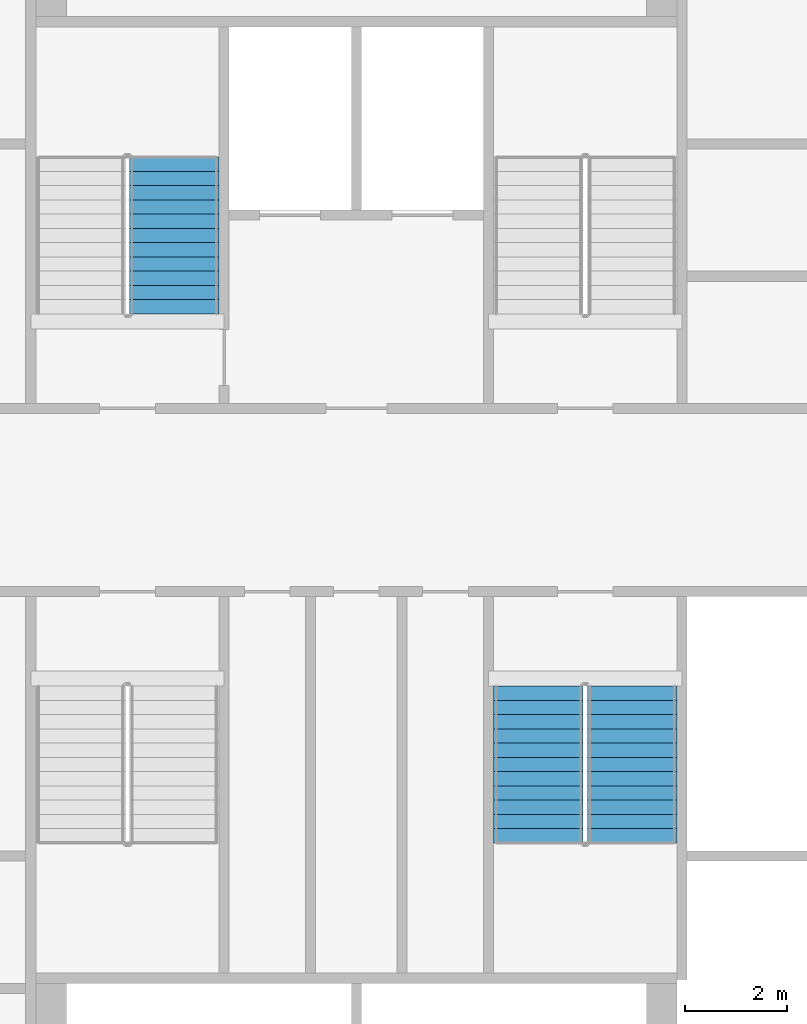
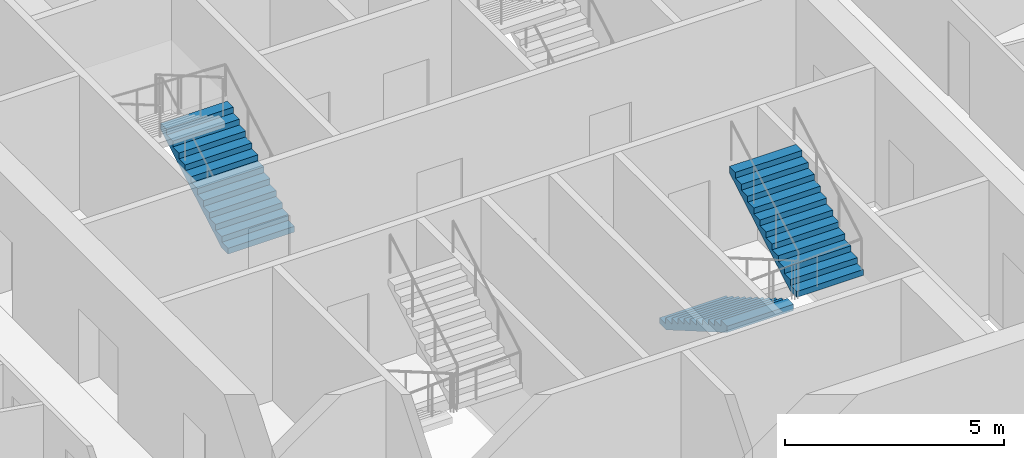
# One storey, part 17 of 23: 3 stair flights, 2 elements without a shape of their own.
"""IFC4 building model written with IfcOpenShell, lengths in metres."""

from ifc_helpers import new_model, si_unit, direction, frame, origin, place, context, subcontext, project, spatial, faceted_brep, material, type_object, element, aggregate, save


model = new_model("IFC4")

# Units and contexts
model_context = context("Model", 3, precision=1e-05, world=origin(), true_north=direction((0.0, 1.0)))
body_context = subcontext(model_context, "Body", "Model", "MODEL_VIEW")
ifc_project = project(units=[si_unit("LENGTHUNIT", "METRE"), si_unit("AREAUNIT", "SQUARE_METRE"), si_unit("VOLUMEUNIT", "CUBIC_METRE"), si_unit("PLANEANGLEUNIT", "RADIAN"), si_unit("MASSUNIT", "GRAM", prefix="KILO")], contexts=[model_context])

# Site, building, storey
site_placement = place(None, origin())
site = spatial("IfcSite", under=ifc_project, at=site_placement, CompositionType="ELEMENT")
building_placement = place(site_placement, origin())
building = spatial("IfcBuilding", under=site, at=building_placement, Name="Tarsis Ring Headquarters", CompositionType="ELEMENT")
storey_placement = place(building_placement, frame((0.0, 0.0, 231.60009765625)))
storey = spatial("IfcBuildingStorey", under=building, at=storey_placement, Name="L54", CompositionType="ELEMENT", Elevation=231.60009765625)

# Stair, stair flight
ifc_material_1 = material(Name="Core stair 1760")
stair_type = type_object("IfcStairType", Name="Core stair 1760", PredefinedType="HALF_TURN_STAIR", material=ifc_material_1)
stair_1_placement = place(storey_placement, origin())
stair_1 = element("IfcStair", 1, at=stair_1_placement, inside=storey, type_object=stair_type, Name="L54 Firefighting stair", PredefinedType="HALF_TURN_STAIR")
ifc_material_2 = material(Name="Concrete C40/50", Category="concrete")
stair_flight_type = type_object("IfcStairFlightType", Name="Core stair flight 1760", PredefinedType="STRAIGHT", material=ifc_material_2)
stair_flight_1_placement = place(storey_placement, frame((-3.580078125, 3.659912109375, 0.0), z_axis=(0.0, 0.0, 1.0), x_axis=(0.0, 1.0, 0.0)))
stair_flight_1 = element("IfcStairFlight", 2, at=stair_flight_1_placement, type_object=stair_flight_type, Name="Stair ST1 flight 1", NumberOfRisers=12, NumberOfTreads=11, PredefinedType="STRAIGHT", RiserHeight=0.1625, TreadLength=0.28, context=body_context, shape_type="Brep", body=[
    faceted_brep([(0.0, 0.8798828125, 0.0), (0.0, 0.8798828125, 0.16259765625), (0.280029296875, 0.8798828125, 0.16259765625), (0.280029296875, 0.8798828125, 0.324951171875), (0.56005859375, 0.8798828125, 0.324951171875), (0.56005859375, 0.8798828125, 0.487548828125), (0.840087890625, 0.8798828125, 0.487548828125), (0.840087890625, 0.8798828125, 0.64990234375), (1.1201171875, 0.8798828125, 0.64990234375), (1.1201171875, 0.8798828125, 0.8125), (1.39990234375, 0.8798828125, 0.8125), (1.39990234375, 0.8798828125, 0.97509765625), (1.679931640625, 0.8798828125, 0.97509765625), (1.679931640625, 0.8798828125, 1.137451171875), (1.9599609375, 0.8798828125, 1.137451171875), (1.9599609375, 0.8798828125, 1.300048828125), (2.239990234375, 0.8798828125, 1.300048828125), (2.239990234375, 0.8798828125, 1.46240234375), (2.52001953125, 0.8798828125, 1.46240234375), (2.52001953125, 0.8798828125, 1.625), (2.800048828125, 0.8798828125, 1.625), (2.800048828125, 0.8798828125, 1.78759765625), (3.080078125, 0.8798828125, 1.78759765625), (3.080078125, 0.8798828125, 1.6142578125), (0.298583984375, 0.8798828125, 0.0), (0.298583984375, -0.8798828125, 0.0), (3.080078125, -0.8798828125, 1.6142578125), (3.080078125, -0.8798828125, 1.78759765625), (2.800048828125, -0.8798828125, 1.78759765625), (2.800048828125, -0.8798828125, 1.625), (2.52001953125, -0.8798828125, 1.625), (2.52001953125, -0.8798828125, 1.46240234375), (2.239990234375, -0.8798828125, 1.46240234375), (2.239990234375, -0.8798828125, 1.300048828125), (1.9599609375, -0.8798828125, 1.300048828125), (1.9599609375, -0.8798828125, 1.137451171875), (1.679931640625, -0.8798828125, 1.137451171875), (1.679931640625, -0.8798828125, 0.97509765625), (1.39990234375, -0.8798828125, 0.97509765625), (1.39990234375, -0.8798828125, 0.8125), (1.1201171875, -0.8798828125, 0.8125), (1.1201171875, -0.8798828125, 0.64990234375), (0.840087890625, -0.8798828125, 0.64990234375), (0.840087890625, -0.8798828125, 0.487548828125), (0.56005859375, -0.8798828125, 0.487548828125), (0.56005859375, -0.8798828125, 0.324951171875), (0.280029296875, -0.8798828125, 0.324951171875), (0.280029296875, -0.8798828125, 0.16259765625), (0.0, -0.8798828125, 0.16259765625), (0.0, -0.8798828125, 0.0), (0.0, -0.43994140625, 0.16259765625), (0.0, -0.43994140625, 0.0), (0.0, 0.0, 0.16259765625), (0.0, 0.0, 0.0), (0.0, 0.43994140625, 0.16259765625), (0.0, 0.43994140625, 0.0), (0.280029296875, -0.43994140625, 0.16259765625), (0.280029296875, 0.0, 0.16259765625), (0.280029296875, 0.43994140625, 0.16259765625), (0.280029296875, -0.43994140625, 0.324951171875), (0.280029296875, 0.0, 0.324951171875), (0.280029296875, 0.43994140625, 0.324951171875), (0.56005859375, -0.43994140625, 0.324951171875), (0.56005859375, 0.0, 0.324951171875), (0.56005859375, 0.43994140625, 0.324951171875), (0.56005859375, -0.43994140625, 0.487548828125), (0.56005859375, 0.0, 0.487548828125), (0.56005859375, 0.43994140625, 0.487548828125), (0.840087890625, -0.43994140625, 0.487548828125), (0.840087890625, 0.0, 0.487548828125), (0.840087890625, 0.43994140625, 0.487548828125), (0.840087890625, -0.43994140625, 0.64990234375), (0.840087890625, 0.0, 0.64990234375), (0.840087890625, 0.43994140625, 0.64990234375), (1.1201171875, -0.43994140625, 0.64990234375), (1.1201171875, 0.0, 0.64990234375), (1.1201171875, 0.43994140625, 0.64990234375), (1.1201171875, -0.43994140625, 0.8125), (1.1201171875, 0.0, 0.8125), (1.1201171875, 0.43994140625, 0.8125), (1.39990234375, -0.43994140625, 0.8125), (1.39990234375, 0.0, 0.8125), (1.39990234375, 0.43994140625, 0.8125), (1.39990234375, -0.43994140625, 0.97509765625), (1.39990234375, 0.0, 0.97509765625), (1.39990234375, 0.43994140625, 0.97509765625), (1.679931640625, -0.43994140625, 0.97509765625), (1.679931640625, 0.0, 0.97509765625), (1.679931640625, 0.43994140625, 0.97509765625), (1.679931640625, -0.43994140625, 1.137451171875), (1.679931640625, 0.0, 1.137451171875), (1.679931640625, 0.43994140625, 1.137451171875), (1.9599609375, -0.43994140625, 1.137451171875), (1.9599609375, 0.0, 1.137451171875), (1.9599609375, 0.43994140625, 1.137451171875), (1.9599609375, -0.43994140625, 1.300048828125), (1.9599609375, 0.0, 1.300048828125), (1.9599609375, 0.43994140625, 1.300048828125), (2.239990234375, -0.43994140625, 1.300048828125), (2.239990234375, 0.0, 1.300048828125), (2.239990234375, 0.43994140625, 1.300048828125), (2.239990234375, -0.43994140625, 1.46240234375), (2.239990234375, 0.0, 1.46240234375), (2.239990234375, 0.43994140625, 1.46240234375), (2.52001953125, -0.43994140625, 1.46240234375), (2.52001953125, 0.0, 1.46240234375), (2.52001953125, 0.43994140625, 1.46240234375), (2.52001953125, -0.43994140625, 1.625), (2.52001953125, 0.0, 1.625), (2.52001953125, 0.43994140625, 1.625), (2.800048828125, -0.43994140625, 1.625), (2.800048828125, 0.0, 1.625), (2.800048828125, 0.43994140625, 1.625), (2.800048828125, -0.43994140625, 1.78759765625), (2.800048828125, 0.0, 1.78759765625), (2.800048828125, 0.43994140625, 1.78759765625), (3.080078125, -0.43994140625, 1.78759765625), (3.080078125, 0.0, 1.78759765625), (3.080078125, 0.43994140625, 1.78759765625), (3.080078125, -0.43994140625, 1.6142578125), (3.080078125, 0.0, 1.6142578125), (3.080078125, 0.43994140625, 1.6142578125), (0.298583984375, -0.43994140625, 0.0), (0.298583984375, 0.0, 0.0), (0.298583984375, 0.43994140625, 0.0)], [[[0, 1, 2, 3, 4, 5, 6, 7, 8, 9, 10, 11, 12, 13, 14, 15, 16, 17, 18, 19, 20, 21, 22, 23, 24]], [[25, 26, 27, 28, 29, 30, 31, 32, 33, 34, 35, 36, 37, 38, 39, 40, 41, 42, 43, 44, 45, 46, 47, 48, 49]], [[49, 48, 50, 51]], [[51, 50, 52, 53]], [[53, 52, 54, 55]], [[55, 54, 1, 0]], [[48, 47, 56, 50]], [[50, 56, 57, 52]], [[52, 57, 58, 54]], [[54, 58, 2, 1]], [[47, 46, 59, 56]], [[56, 59, 60, 57]], [[57, 60, 61, 58]], [[58, 61, 3, 2]], [[46, 45, 62, 59]], [[59, 62, 63, 60]], [[60, 63, 64, 61]], [[61, 64, 4, 3]], [[45, 44, 65, 62]], [[62, 65, 66, 63]], [[63, 66, 67, 64]], [[64, 67, 5, 4]], [[44, 43, 68, 65]], [[65, 68, 69, 66]], [[66, 69, 70, 67]], [[67, 70, 6, 5]], [[43, 42, 71, 68]], [[68, 71, 72, 69]], [[69, 72, 73, 70]], [[70, 73, 7, 6]], [[42, 41, 74, 71]], [[71, 74, 75, 72]], [[72, 75, 76, 73]], [[73, 76, 8, 7]], [[41, 40, 77, 74]], [[74, 77, 78, 75]], [[75, 78, 79, 76]], [[76, 79, 9, 8]], [[40, 39, 80, 77]], [[77, 80, 81, 78]], [[78, 81, 82, 79]], [[79, 82, 10, 9]], [[39, 38, 83, 80]], [[80, 83, 84, 81]], [[81, 84, 85, 82]], [[82, 85, 11, 10]], [[38, 37, 86, 83]], [[83, 86, 87, 84]], [[84, 87, 88, 85]], [[85, 88, 12, 11]], [[37, 36, 89, 86]], [[86, 89, 90, 87]], [[87, 90, 91, 88]], [[88, 91, 13, 12]], [[36, 35, 92, 89]], [[89, 92, 93, 90]], [[90, 93, 94, 91]], [[91, 94, 14, 13]], [[35, 34, 95, 92]], [[92, 95, 96, 93]], [[93, 96, 97, 94]], [[94, 97, 15, 14]], [[34, 33, 98, 95]], [[95, 98, 99, 96]], [[96, 99, 100, 97]], [[97, 100, 16, 15]], [[33, 32, 101, 98]], [[98, 101, 102, 99]], [[99, 102, 103, 100]], [[100, 103, 17, 16]], [[32, 31, 104, 101]], [[101, 104, 105, 102]], [[102, 105, 106, 103]], [[103, 106, 18, 17]], [[31, 30, 107, 104]], [[104, 107, 108, 105]], [[105, 108, 109, 106]], [[106, 109, 19, 18]], [[30, 29, 110, 107]], [[107, 110, 111, 108]], [[108, 111, 112, 109]], [[109, 112, 20, 19]], [[29, 28, 113, 110]], [[110, 113, 114, 111]], [[111, 114, 115, 112]], [[112, 115, 21, 20]], [[28, 27, 116, 113]], [[113, 116, 117, 114]], [[114, 117, 118, 115]], [[115, 118, 22, 21]], [[27, 26, 119, 116]], [[116, 119, 120, 117]], [[117, 120, 121, 118]], [[118, 121, 23, 22]], [[26, 25, 122, 119]], [[119, 122, 123, 120]], [[120, 123, 124, 121]], [[121, 124, 24, 23]], [[25, 49, 51, 122]], [[122, 51, 53, 123]], [[123, 53, 55, 124]], [[124, 55, 0, 24]]]),
])
aggregate(stair_1, [stair_flight_1])

# Stair, stair flights
stair_2_placement = place(storey_placement, origin())
stair_2 = element("IfcStair", 3, at=stair_2_placement, inside=storey, type_object=stair_type, Name="L54 Exit stair D", PredefinedType="HALF_TURN_STAIR")
stair_flight_2_placement = place(storey_placement, frame((3.580078125, -3.659912109375, 0.0), z_axis=(0.0, 0.0, 1.0), x_axis=(0.0, -1.0, 0.0)))
stair_flight_2 = element("IfcStairFlight", 4, at=stair_flight_2_placement, type_object=stair_flight_type, Name="Stair ST4 flight 1", NumberOfRisers=12, NumberOfTreads=11, PredefinedType="STRAIGHT", RiserHeight=0.1625, TreadLength=0.28, context=body_context, shape_type="Brep", body=[
    faceted_brep([(0.0, 0.8798828125, 0.0), (0.0, 0.8798828125, 0.16259765625), (0.280029296875, 0.8798828125, 0.16259765625), (0.280029296875, 0.8798828125, 0.324951171875), (0.56005859375, 0.8798828125, 0.324951171875), (0.56005859375, 0.8798828125, 0.487548828125), (0.840087890625, 0.8798828125, 0.487548828125), (0.840087890625, 0.8798828125, 0.64990234375), (1.1201171875, 0.8798828125, 0.64990234375), (1.1201171875, 0.8798828125, 0.8125), (1.39990234375, 0.8798828125, 0.8125), (1.39990234375, 0.8798828125, 0.97509765625), (1.679931640625, 0.8798828125, 0.97509765625), (1.679931640625, 0.8798828125, 1.137451171875), (1.9599609375, 0.8798828125, 1.137451171875), (1.9599609375, 0.8798828125, 1.300048828125), (2.239990234375, 0.8798828125, 1.300048828125), (2.239990234375, 0.8798828125, 1.46240234375), (2.52001953125, 0.8798828125, 1.46240234375), (2.52001953125, 0.8798828125, 1.625), (2.800048828125, 0.8798828125, 1.625), (2.800048828125, 0.8798828125, 1.78759765625), (3.080078125, 0.8798828125, 1.78759765625), (3.080078125, 0.8798828125, 1.6142578125), (0.298583984375, 0.8798828125, 0.0), (0.298583984375, -0.8798828125, 0.0), (3.080078125, -0.8798828125, 1.6142578125), (3.080078125, -0.8798828125, 1.78759765625), (2.800048828125, -0.8798828125, 1.78759765625), (2.800048828125, -0.8798828125, 1.625), (2.52001953125, -0.8798828125, 1.625), (2.52001953125, -0.8798828125, 1.46240234375), (2.239990234375, -0.8798828125, 1.46240234375), (2.239990234375, -0.8798828125, 1.300048828125), (1.9599609375, -0.8798828125, 1.300048828125), (1.9599609375, -0.8798828125, 1.137451171875), (1.679931640625, -0.8798828125, 1.137451171875), (1.679931640625, -0.8798828125, 0.97509765625), (1.39990234375, -0.8798828125, 0.97509765625), (1.39990234375, -0.8798828125, 0.8125), (1.1201171875, -0.8798828125, 0.8125), (1.1201171875, -0.8798828125, 0.64990234375), (0.840087890625, -0.8798828125, 0.64990234375), (0.840087890625, -0.8798828125, 0.487548828125), (0.56005859375, -0.8798828125, 0.487548828125), (0.56005859375, -0.8798828125, 0.324951171875), (0.280029296875, -0.8798828125, 0.324951171875), (0.280029296875, -0.8798828125, 0.16259765625), (0.0, -0.8798828125, 0.16259765625), (0.0, -0.8798828125, 0.0), (0.0, -0.43994140625, 0.16259765625), (0.0, -0.43994140625, 0.0), (0.0, 0.0, 0.16259765625), (0.0, 0.0, 0.0), (0.0, 0.43994140625, 0.16259765625), (0.0, 0.43994140625, 0.0), (0.280029296875, -0.43994140625, 0.16259765625), (0.280029296875, 0.0, 0.16259765625), (0.280029296875, 0.43994140625, 0.16259765625), (0.280029296875, -0.43994140625, 0.324951171875), (0.280029296875, 0.0, 0.324951171875), (0.280029296875, 0.43994140625, 0.324951171875), (0.56005859375, -0.43994140625, 0.324951171875), (0.56005859375, 0.0, 0.324951171875), (0.56005859375, 0.43994140625, 0.324951171875), (0.56005859375, -0.43994140625, 0.487548828125), (0.56005859375, 0.0, 0.487548828125), (0.56005859375, 0.43994140625, 0.487548828125), (0.840087890625, -0.43994140625, 0.487548828125), (0.840087890625, 0.0, 0.487548828125), (0.840087890625, 0.43994140625, 0.487548828125), (0.840087890625, -0.43994140625, 0.64990234375), (0.840087890625, 0.0, 0.64990234375), (0.840087890625, 0.43994140625, 0.64990234375), (1.1201171875, -0.43994140625, 0.64990234375), (1.1201171875, 0.0, 0.64990234375), (1.1201171875, 0.43994140625, 0.64990234375), (1.1201171875, -0.43994140625, 0.8125), (1.1201171875, 0.0, 0.8125), (1.1201171875, 0.43994140625, 0.8125), (1.39990234375, -0.43994140625, 0.8125), (1.39990234375, 0.0, 0.8125), (1.39990234375, 0.43994140625, 0.8125), (1.39990234375, -0.43994140625, 0.97509765625), (1.39990234375, 0.0, 0.97509765625), (1.39990234375, 0.43994140625, 0.97509765625), (1.679931640625, -0.43994140625, 0.97509765625), (1.679931640625, 0.0, 0.97509765625), (1.679931640625, 0.43994140625, 0.97509765625), (1.679931640625, -0.43994140625, 1.137451171875), (1.679931640625, 0.0, 1.137451171875), (1.679931640625, 0.43994140625, 1.137451171875), (1.9599609375, -0.43994140625, 1.137451171875), (1.9599609375, 0.0, 1.137451171875), (1.9599609375, 0.43994140625, 1.137451171875), (1.9599609375, -0.43994140625, 1.300048828125), (1.9599609375, 0.0, 1.300048828125), (1.9599609375, 0.43994140625, 1.300048828125), (2.239990234375, -0.43994140625, 1.300048828125), (2.239990234375, 0.0, 1.300048828125), (2.239990234375, 0.43994140625, 1.300048828125), (2.239990234375, -0.43994140625, 1.46240234375), (2.239990234375, 0.0, 1.46240234375), (2.239990234375, 0.43994140625, 1.46240234375), (2.52001953125, -0.43994140625, 1.46240234375), (2.52001953125, 0.0, 1.46240234375), (2.52001953125, 0.43994140625, 1.46240234375), (2.52001953125, -0.43994140625, 1.625), (2.52001953125, 0.0, 1.625), (2.52001953125, 0.43994140625, 1.625), (2.800048828125, -0.43994140625, 1.625), (2.800048828125, 0.0, 1.625), (2.800048828125, 0.43994140625, 1.625), (2.800048828125, -0.43994140625, 1.78759765625), (2.800048828125, 0.0, 1.78759765625), (2.800048828125, 0.43994140625, 1.78759765625), (3.080078125, -0.43994140625, 1.78759765625), (3.080078125, 0.0, 1.78759765625), (3.080078125, 0.43994140625, 1.78759765625), (3.080078125, -0.43994140625, 1.6142578125), (3.080078125, 0.0, 1.6142578125), (3.080078125, 0.43994140625, 1.6142578125), (0.298583984375, -0.43994140625, 0.0), (0.298583984375, 0.0, 0.0), (0.298583984375, 0.43994140625, 0.0)], [[[0, 1, 2, 3, 4, 5, 6, 7, 8, 9, 10, 11, 12, 13, 14, 15, 16, 17, 18, 19, 20, 21, 22, 23, 24]], [[25, 26, 27, 28, 29, 30, 31, 32, 33, 34, 35, 36, 37, 38, 39, 40, 41, 42, 43, 44, 45, 46, 47, 48, 49]], [[49, 48, 50, 51]], [[51, 50, 52, 53]], [[53, 52, 54, 55]], [[55, 54, 1, 0]], [[48, 47, 56, 50]], [[50, 56, 57, 52]], [[52, 57, 58, 54]], [[54, 58, 2, 1]], [[47, 46, 59, 56]], [[56, 59, 60, 57]], [[57, 60, 61, 58]], [[58, 61, 3, 2]], [[46, 45, 62, 59]], [[59, 62, 63, 60]], [[60, 63, 64, 61]], [[61, 64, 4, 3]], [[45, 44, 65, 62]], [[62, 65, 66, 63]], [[63, 66, 67, 64]], [[64, 67, 5, 4]], [[44, 43, 68, 65]], [[65, 68, 69, 66]], [[66, 69, 70, 67]], [[67, 70, 6, 5]], [[43, 42, 71, 68]], [[68, 71, 72, 69]], [[69, 72, 73, 70]], [[70, 73, 7, 6]], [[42, 41, 74, 71]], [[71, 74, 75, 72]], [[72, 75, 76, 73]], [[73, 76, 8, 7]], [[41, 40, 77, 74]], [[74, 77, 78, 75]], [[75, 78, 79, 76]], [[76, 79, 9, 8]], [[40, 39, 80, 77]], [[77, 80, 81, 78]], [[78, 81, 82, 79]], [[79, 82, 10, 9]], [[39, 38, 83, 80]], [[80, 83, 84, 81]], [[81, 84, 85, 82]], [[82, 85, 11, 10]], [[38, 37, 86, 83]], [[83, 86, 87, 84]], [[84, 87, 88, 85]], [[85, 88, 12, 11]], [[37, 36, 89, 86]], [[86, 89, 90, 87]], [[87, 90, 91, 88]], [[88, 91, 13, 12]], [[36, 35, 92, 89]], [[89, 92, 93, 90]], [[90, 93, 94, 91]], [[91, 94, 14, 13]], [[35, 34, 95, 92]], [[92, 95, 96, 93]], [[93, 96, 97, 94]], [[94, 97, 15, 14]], [[34, 33, 98, 95]], [[95, 98, 99, 96]], [[96, 99, 100, 97]], [[97, 100, 16, 15]], [[33, 32, 101, 98]], [[98, 101, 102, 99]], [[99, 102, 103, 100]], [[100, 103, 17, 16]], [[32, 31, 104, 101]], [[101, 104, 105, 102]], [[102, 105, 106, 103]], [[103, 106, 18, 17]], [[31, 30, 107, 104]], [[104, 107, 108, 105]], [[105, 108, 109, 106]], [[106, 109, 19, 18]], [[30, 29, 110, 107]], [[107, 110, 111, 108]], [[108, 111, 112, 109]], [[109, 112, 20, 19]], [[29, 28, 113, 110]], [[110, 113, 114, 111]], [[111, 114, 115, 112]], [[112, 115, 21, 20]], [[28, 27, 116, 113]], [[113, 116, 117, 114]], [[114, 117, 118, 115]], [[115, 118, 22, 21]], [[27, 26, 119, 116]], [[116, 119, 120, 117]], [[117, 120, 121, 118]], [[118, 121, 23, 22]], [[26, 25, 122, 119]], [[119, 122, 123, 120]], [[120, 123, 124, 121]], [[121, 124, 24, 23]], [[25, 49, 51, 122]], [[122, 51, 53, 123]], [[123, 53, 55, 124]], [[124, 55, 0, 24]]]),
])
stair_flight_3_placement = place(storey_placement, frame((5.419921875, -6.739990234375, 1.949951171875), z_axis=(0.0, 0.0, 1.0), x_axis=(0.0, 1.0, 0.0)))
stair_flight_3 = element("IfcStairFlight", 5, at=stair_flight_3_placement, type_object=stair_flight_type, Name="Stair ST4 flight 2", NumberOfRisers=12, NumberOfTreads=11, PredefinedType="STRAIGHT", RiserHeight=0.1625, TreadLength=0.28, context=body_context, shape_type="Brep", body=[
    faceted_brep([(0.0, 0.8798828125, 0.0), (0.0, 0.8798828125, 0.16259765625), (0.280029296875, 0.8798828125, 0.16259765625), (0.280029296875, 0.8798828125, 0.324951171875), (0.56005859375, 0.8798828125, 0.324951171875), (0.56005859375, 0.8798828125, 0.487548828125), (0.840087890625, 0.8798828125, 0.487548828125), (0.840087890625, 0.8798828125, 0.64990234375), (1.1201171875, 0.8798828125, 0.64990234375), (1.1201171875, 0.8798828125, 0.8125), (1.39990234375, 0.8798828125, 0.8125), (1.39990234375, 0.8798828125, 0.97509765625), (1.679931640625, 0.8798828125, 0.97509765625), (1.679931640625, 0.8798828125, 1.137451171875), (1.9599609375, 0.8798828125, 1.137451171875), (1.9599609375, 0.8798828125, 1.300048828125), (2.239990234375, 0.8798828125, 1.300048828125), (2.239990234375, 0.8798828125, 1.46240234375), (2.52001953125, 0.8798828125, 1.46240234375), (2.52001953125, 0.8798828125, 1.625), (2.800048828125, 0.8798828125, 1.625), (2.800048828125, 0.8798828125, 1.78759765625), (3.080078125, 0.8798828125, 1.78759765625), (3.080078125, 0.8798828125, 1.6142578125), (0.298583984375, 0.8798828125, 0.0), (0.298583984375, -0.8798828125, 0.0), (3.080078125, -0.8798828125, 1.6142578125), (3.080078125, -0.8798828125, 1.78759765625), (2.800048828125, -0.8798828125, 1.78759765625), (2.800048828125, -0.8798828125, 1.625), (2.52001953125, -0.8798828125, 1.625), (2.52001953125, -0.8798828125, 1.46240234375), (2.239990234375, -0.8798828125, 1.46240234375), (2.239990234375, -0.8798828125, 1.300048828125), (1.9599609375, -0.8798828125, 1.300048828125), (1.9599609375, -0.8798828125, 1.137451171875), (1.679931640625, -0.8798828125, 1.137451171875), (1.679931640625, -0.8798828125, 0.97509765625), (1.39990234375, -0.8798828125, 0.97509765625), (1.39990234375, -0.8798828125, 0.8125), (1.1201171875, -0.8798828125, 0.8125), (1.1201171875, -0.8798828125, 0.64990234375), (0.840087890625, -0.8798828125, 0.64990234375), (0.840087890625, -0.8798828125, 0.487548828125), (0.56005859375, -0.8798828125, 0.487548828125), (0.56005859375, -0.8798828125, 0.324951171875), (0.280029296875, -0.8798828125, 0.324951171875), (0.280029296875, -0.8798828125, 0.16259765625), (0.0, -0.8798828125, 0.16259765625), (0.0, -0.8798828125, 0.0), (0.0, -0.43994140625, 0.16259765625), (0.0, -0.43994140625, 0.0), (0.0, 0.0, 0.16259765625), (0.0, 0.0, 0.0), (0.0, 0.43994140625, 0.16259765625), (0.0, 0.43994140625, 0.0), (0.280029296875, -0.43994140625, 0.16259765625), (0.280029296875, 0.0, 0.16259765625), (0.280029296875, 0.43994140625, 0.16259765625), (0.280029296875, -0.43994140625, 0.324951171875), (0.280029296875, 0.0, 0.324951171875), (0.280029296875, 0.43994140625, 0.324951171875), (0.56005859375, -0.43994140625, 0.324951171875), (0.56005859375, 0.0, 0.324951171875), (0.56005859375, 0.43994140625, 0.324951171875), (0.56005859375, -0.43994140625, 0.487548828125), (0.56005859375, 0.0, 0.487548828125), (0.56005859375, 0.43994140625, 0.487548828125), (0.840087890625, -0.43994140625, 0.487548828125), (0.840087890625, 0.0, 0.487548828125), (0.840087890625, 0.43994140625, 0.487548828125), (0.840087890625, -0.43994140625, 0.64990234375), (0.840087890625, 0.0, 0.64990234375), (0.840087890625, 0.43994140625, 0.64990234375), (1.1201171875, -0.43994140625, 0.64990234375), (1.1201171875, 0.0, 0.64990234375), (1.1201171875, 0.43994140625, 0.64990234375), (1.1201171875, -0.43994140625, 0.8125), (1.1201171875, 0.0, 0.8125), (1.1201171875, 0.43994140625, 0.8125), (1.39990234375, -0.43994140625, 0.8125), (1.39990234375, 0.0, 0.8125), (1.39990234375, 0.43994140625, 0.8125), (1.39990234375, -0.43994140625, 0.97509765625), (1.39990234375, 0.0, 0.97509765625), (1.39990234375, 0.43994140625, 0.97509765625), (1.679931640625, -0.43994140625, 0.97509765625), (1.679931640625, 0.0, 0.97509765625), (1.679931640625, 0.43994140625, 0.97509765625), (1.679931640625, -0.43994140625, 1.137451171875), (1.679931640625, 0.0, 1.137451171875), (1.679931640625, 0.43994140625, 1.137451171875), (1.9599609375, -0.43994140625, 1.137451171875), (1.9599609375, 0.0, 1.137451171875), (1.9599609375, 0.43994140625, 1.137451171875), (1.9599609375, -0.43994140625, 1.300048828125), (1.9599609375, 0.0, 1.300048828125), (1.9599609375, 0.43994140625, 1.300048828125), (2.239990234375, -0.43994140625, 1.300048828125), (2.239990234375, 0.0, 1.300048828125), (2.239990234375, 0.43994140625, 1.300048828125), (2.239990234375, -0.43994140625, 1.46240234375), (2.239990234375, 0.0, 1.46240234375), (2.239990234375, 0.43994140625, 1.46240234375), (2.52001953125, -0.43994140625, 1.46240234375), (2.52001953125, 0.0, 1.46240234375), (2.52001953125, 0.43994140625, 1.46240234375), (2.52001953125, -0.43994140625, 1.625), (2.52001953125, 0.0, 1.625), (2.52001953125, 0.43994140625, 1.625), (2.800048828125, -0.43994140625, 1.625), (2.800048828125, 0.0, 1.625), (2.800048828125, 0.43994140625, 1.625), (2.800048828125, -0.43994140625, 1.78759765625), (2.800048828125, 0.0, 1.78759765625), (2.800048828125, 0.43994140625, 1.78759765625), (3.080078125, -0.43994140625, 1.78759765625), (3.080078125, 0.0, 1.78759765625), (3.080078125, 0.43994140625, 1.78759765625), (3.080078125, -0.43994140625, 1.6142578125), (3.080078125, 0.0, 1.6142578125), (3.080078125, 0.43994140625, 1.6142578125), (0.298583984375, -0.43994140625, 0.0), (0.298583984375, 0.0, 0.0), (0.298583984375, 0.43994140625, 0.0)], [[[0, 1, 2, 3, 4, 5, 6, 7, 8, 9, 10, 11, 12, 13, 14, 15, 16, 17, 18, 19, 20, 21, 22, 23, 24]], [[25, 26, 27, 28, 29, 30, 31, 32, 33, 34, 35, 36, 37, 38, 39, 40, 41, 42, 43, 44, 45, 46, 47, 48, 49]], [[49, 48, 50, 51]], [[51, 50, 52, 53]], [[53, 52, 54, 55]], [[55, 54, 1, 0]], [[48, 47, 56, 50]], [[50, 56, 57, 52]], [[52, 57, 58, 54]], [[54, 58, 2, 1]], [[47, 46, 59, 56]], [[56, 59, 60, 57]], [[57, 60, 61, 58]], [[58, 61, 3, 2]], [[46, 45, 62, 59]], [[59, 62, 63, 60]], [[60, 63, 64, 61]], [[61, 64, 4, 3]], [[45, 44, 65, 62]], [[62, 65, 66, 63]], [[63, 66, 67, 64]], [[64, 67, 5, 4]], [[44, 43, 68, 65]], [[65, 68, 69, 66]], [[66, 69, 70, 67]], [[67, 70, 6, 5]], [[43, 42, 71, 68]], [[68, 71, 72, 69]], [[69, 72, 73, 70]], [[70, 73, 7, 6]], [[42, 41, 74, 71]], [[71, 74, 75, 72]], [[72, 75, 76, 73]], [[73, 76, 8, 7]], [[41, 40, 77, 74]], [[74, 77, 78, 75]], [[75, 78, 79, 76]], [[76, 79, 9, 8]], [[40, 39, 80, 77]], [[77, 80, 81, 78]], [[78, 81, 82, 79]], [[79, 82, 10, 9]], [[39, 38, 83, 80]], [[80, 83, 84, 81]], [[81, 84, 85, 82]], [[82, 85, 11, 10]], [[38, 37, 86, 83]], [[83, 86, 87, 84]], [[84, 87, 88, 85]], [[85, 88, 12, 11]], [[37, 36, 89, 86]], [[86, 89, 90, 87]], [[87, 90, 91, 88]], [[88, 91, 13, 12]], [[36, 35, 92, 89]], [[89, 92, 93, 90]], [[90, 93, 94, 91]], [[91, 94, 14, 13]], [[35, 34, 95, 92]], [[92, 95, 96, 93]], [[93, 96, 97, 94]], [[94, 97, 15, 14]], [[34, 33, 98, 95]], [[95, 98, 99, 96]], [[96, 99, 100, 97]], [[97, 100, 16, 15]], [[33, 32, 101, 98]], [[98, 101, 102, 99]], [[99, 102, 103, 100]], [[100, 103, 17, 16]], [[32, 31, 104, 101]], [[101, 104, 105, 102]], [[102, 105, 106, 103]], [[103, 106, 18, 17]], [[31, 30, 107, 104]], [[104, 107, 108, 105]], [[105, 108, 109, 106]], [[106, 109, 19, 18]], [[30, 29, 110, 107]], [[107, 110, 111, 108]], [[108, 111, 112, 109]], [[109, 112, 20, 19]], [[29, 28, 113, 110]], [[110, 113, 114, 111]], [[111, 114, 115, 112]], [[112, 115, 21, 20]], [[28, 27, 116, 113]], [[113, 116, 117, 114]], [[114, 117, 118, 115]], [[115, 118, 22, 21]], [[27, 26, 119, 116]], [[116, 119, 120, 117]], [[117, 120, 121, 118]], [[118, 121, 23, 22]], [[26, 25, 122, 119]], [[119, 122, 123, 120]], [[120, 123, 124, 121]], [[121, 124, 24, 23]], [[25, 49, 51, 122]], [[122, 51, 53, 123]], [[123, 53, 55, 124]], [[124, 55, 0, 24]]]),
])
aggregate(stair_2, [stair_flight_2, stair_flight_3])

save(model, "model.ifc")
